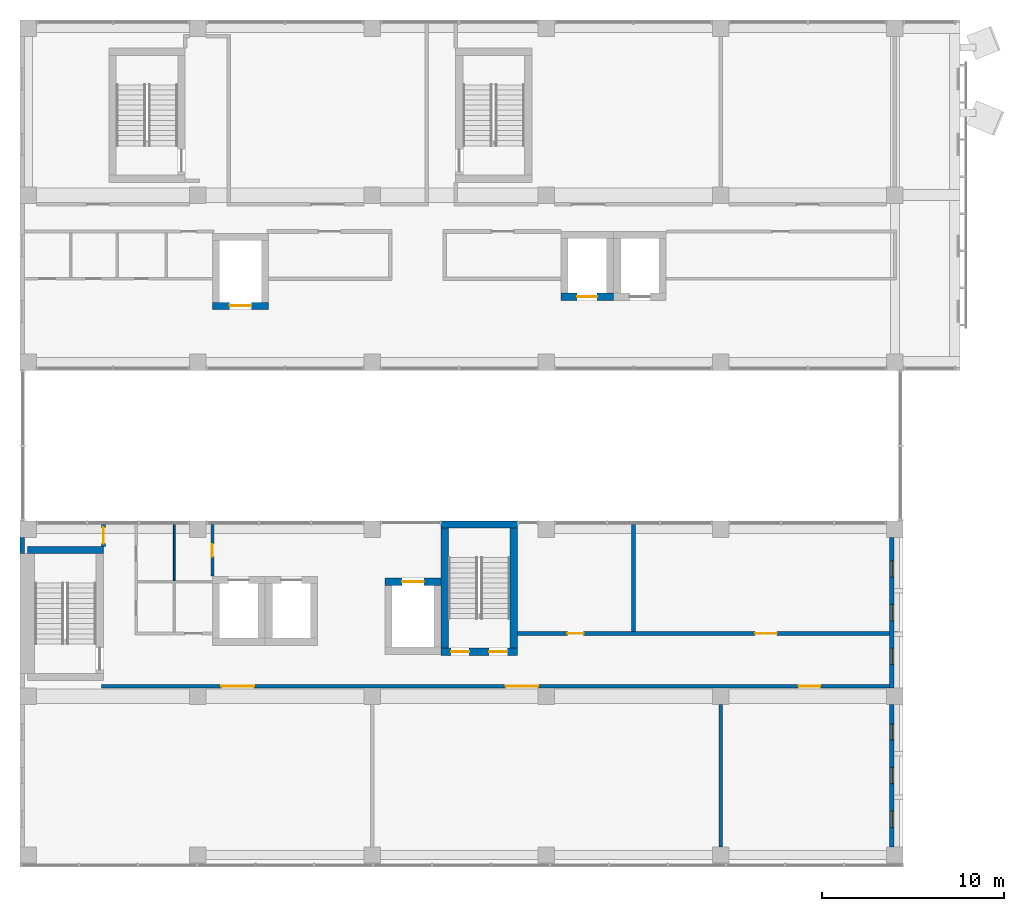
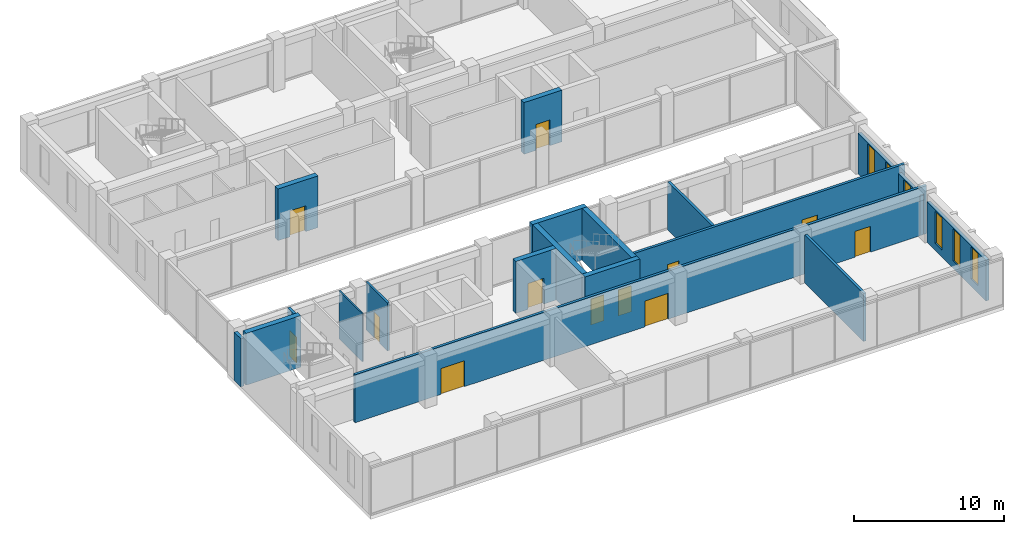
# One storey, part 28 of 37: 18 walls, 12 doors, 6 windows, 18 openings.
"""IFC4 building model written with IfcOpenShell, lengths in metres."""

from ifc_helpers import new_model, si_unit, direction, frame, frame_2d, origin, place, context, subcontext, project, spatial, rectangle, extrude, material, layer, layer_set, layer_usage, type_object, element, fill, save


model = new_model("IFC4")

# Units and contexts
model_context = context("Model", 3, precision=1e-05, world=origin(), true_north=direction((0.0, 1.0)))
body_context = subcontext(model_context, "Body", "Model", "MODEL_VIEW")
ifc_project = project(units=[si_unit("LENGTHUNIT", "METRE"), si_unit("AREAUNIT", "SQUARE_METRE"), si_unit("VOLUMEUNIT", "CUBIC_METRE"), si_unit("PLANEANGLEUNIT", "RADIAN"), si_unit("MASSUNIT", "GRAM", prefix="KILO")], contexts=[model_context])

# Site, building, storey
site_placement = place(None, origin())
site = spatial("IfcSite", under=ifc_project, at=site_placement, CompositionType="ELEMENT")
building_placement = place(site_placement, origin())
building = spatial("IfcBuilding", under=site, at=building_placement, Name="Nzadi Deep Aquarium and Research Tower", CompositionType="ELEMENT")
storey_placement = place(building_placement, frame((0.0, 0.0, 57.10009765625)))
storey = spatial("IfcBuildingStorey", under=building, at=storey_placement, Name="L11", CompositionType="ELEMENT", Elevation=57.10009765625)

# Wall, openings, windows
ifc_material_1 = material(Name="Concrete C35/45", Category="concrete")
ifc_layer_1 = layer(ifc_material_1, 0.14990234375, Category="cladding")
ifc_material_2 = material(Name="Mineral wool insulation")
ifc_layer_2 = layer(ifc_material_2, 0.070068359375, Category="insulation")
ifc_material_3 = material(Name="Gypsum board lining")
ifc_layer_3 = layer(ifc_material_3, 0.030029296875, Category="lining")
ifc_layer_set_1 = layer_set([ifc_layer_1, ifc_layer_2, ifc_layer_3], Name="Concrete C35/45, Mineral wool insulation, Gypsum board lining")
ifc_layer_usage_1 = layer_usage(ifc_layer_set_1, "AXIS2", "POSITIVE", -0.125)
wall_type_1 = type_object("IfcWallType", Name="End wall board-formed concrete 250, 3.30 m high", PredefinedType="ELEMENTEDWALL", material=ifc_layer_set_1)
wall_1_placement = place(storey_placement, frame((47.824951171875, 9.64990234375, 0.0), z_axis=(0.0, 0.0, 1.0), x_axis=(0.0, 1.0, 0.0)))
wall_1 = element("IfcWall", 1, at=wall_1_placement, inside=storey, type_object=wall_type_1, material=ifc_layer_usage_1, Name="End wall blade A east L11", PredefinedType="ELEMENTEDWALL", context=body_context, shape_type="SweptSolid", body=[
    extrude(rectangle(XDim=8.300048828125, YDim=0.25, at=frame_2d((4.14990234375, 0.0))), origin(), (0.0, 0.0, 1.0), 3.2998046875),
])
opening_1_placement = place(wall_1_placement, frame((1.300048828125, 0.0, 0.60009765625)))
opening_1 = element("IfcOpeningElement", 2, at=opening_1_placement, cuts=wall_1, Name="Opening WN03", PredefinedType="OPENING", context=body_context, shape_type="SweptSolid", body=[
    extrude(rectangle(XDim=0.89990234375, YDim=2.60009765625, at=frame_2d((0.449951171875, 1.300048828125))), frame((0.0, 0.135009765625, 0.0), z_axis=(0.0, -1.0, 0.0), x_axis=(1.0, 0.0, 0.0)), (0.0, 0.0, 1.0), 0.27001953125),
])
opening_2_placement = place(wall_1_placement, frame((3.699951171875, 0.0, 0.60009765625)))
opening_2 = element("IfcOpeningElement", 3, at=opening_2_placement, cuts=wall_1, Name="Opening WN03", PredefinedType="OPENING", context=body_context, shape_type="SweptSolid", body=[
    extrude(rectangle(XDim=0.89990234375, YDim=2.60009765625, at=frame_2d((0.449951171875, 1.300048828125))), frame((0.0, 0.135009765625, 0.0), z_axis=(0.0, -1.0, 0.0), x_axis=(1.0, 0.0, 0.0)), (0.0, 0.0, 1.0), 0.27001953125),
])
opening_3_placement = place(wall_1_placement, frame((6.10009765625, 0.0, 0.60009765625)))
opening_3 = element("IfcOpeningElement", 4, at=opening_3_placement, cuts=wall_1, Name="Opening WN03", PredefinedType="OPENING", context=body_context, shape_type="SweptSolid", body=[
    extrude(rectangle(XDim=0.89990234375, YDim=2.60009765625, at=frame_2d((0.449951171875, 1.300048828125))), frame((0.0, 0.135009765625, 0.0), z_axis=(0.0, -1.0, 0.0), x_axis=(1.0, 0.0, 0.0)), (0.0, 0.0, 1.0), 0.27001953125),
])
ifc_material_4 = material(Name="Aluminium window, sage tint glazing", Category="aluminium")
window_type = type_object("IfcWindowType", Name="Slot window 900x2600 sill 600", PartitioningType="SINGLE_PANEL", PredefinedType="WINDOW", material=ifc_material_4)
window_1_placement = place(opening_1_placement, origin())
window_1 = element("IfcWindow", 5, at=window_1_placement, inside=storey, type_object=window_type, Name="Slot window L11 AE", OverallHeight=2.60009765625, OverallWidth=0.89990234375, PartitioningType="SINGLE_PANEL", PredefinedType="WINDOW", context=body_context, shape_type="SweptSolid", body=[
    extrude(rectangle(XDim=0.89990234375, YDim=2.60009765625, at=frame_2d((0.449951171875, 1.300048828125))), frame((0.0, 0.030029296875, 0.0), z_axis=(0.0, -1.0, 0.0), x_axis=(1.0, 0.0, 0.0)), (0.0, 0.0, 1.0), 0.06005859375),
])
fill(opening_1, window_1)
window_2_placement = place(opening_2_placement, origin())
window_2 = element("IfcWindow", 6, at=window_2_placement, inside=storey, type_object=window_type, Name="Slot window L11 AE", OverallHeight=2.60009765625, OverallWidth=0.89990234375, PartitioningType="SINGLE_PANEL", PredefinedType="WINDOW", context=body_context, shape_type="SweptSolid", body=[
    extrude(rectangle(XDim=0.89990234375, YDim=2.60009765625, at=frame_2d((0.449951171875, 1.300048828125))), frame((0.0, 0.030029296875, 0.0), z_axis=(0.0, -1.0, 0.0), x_axis=(1.0, 0.0, 0.0)), (0.0, 0.0, 1.0), 0.06005859375),
])
fill(opening_2, window_2)
window_3_placement = place(opening_3_placement, origin())
window_3 = element("IfcWindow", 7, at=window_3_placement, inside=storey, type_object=window_type, Name="Slot window L11 AE", OverallHeight=2.60009765625, OverallWidth=0.89990234375, PartitioningType="SINGLE_PANEL", PredefinedType="WINDOW", context=body_context, shape_type="SweptSolid", body=[
    extrude(rectangle(XDim=0.89990234375, YDim=2.60009765625, at=frame_2d((0.449951171875, 1.300048828125))), frame((0.0, 0.030029296875, 0.0), z_axis=(0.0, -1.0, 0.0), x_axis=(1.0, 0.0, 0.0)), (0.0, 0.0, 1.0), 0.06005859375),
])
fill(opening_3, window_3)

# Wall
ifc_material_5 = material(Name="Graphite aluminium shingle", Category="aluminium")
ifc_layer_4 = layer(ifc_material_5, 0.050048828125, Category="cladding")
ifc_layer_5 = layer(ifc_material_1, 0.10009765625, Category="cladding")
ifc_layer_6 = layer(ifc_material_2, 0.070068359375, Category="insulation")
ifc_layer_7 = layer(ifc_material_3, 0.030029296875, Category="lining")
ifc_layer_set_2 = layer_set([ifc_layer_4, ifc_layer_5, ifc_layer_6, ifc_layer_7], Name="Graphite aluminium shingle, Concrete C35/45, Mineral wool insulation, Gypsum board lining")
ifc_layer_usage_2 = layer_usage(ifc_layer_set_2, "AXIS2", "POSITIVE", -0.125)
wall_type_2 = type_object("IfcWallType", Name="End wall shingle over board-formed concrete 250", PredefinedType="ELEMENTEDWALL", material=ifc_layer_set_2)
wall_2_placement = place(storey_placement, frame((-0.074462890625, 17.949951171875, 0.0), z_axis=(0.0, 0.0, 1.0), x_axis=(0.0, -1.0, 0.0)))
element("IfcWall", 8, at=wall_2_placement, inside=storey, type_object=wall_type_2, material=ifc_layer_usage_2, Name="End wall blade A west L11", PredefinedType="ELEMENTEDWALL", context=body_context, shape_type="SweptSolid", body=[
    extrude(rectangle(XDim=0.89990234375, YDim=0.25, at=frame_2d((0.449951171875, 0.0))), origin(), (0.0, 0.0, 1.0), 3.89990234375),
])

# Wall, openings, windows
ifc_layer_8 = layer(ifc_material_5, 0.050048828125, Category="cladding")
ifc_layer_9 = layer(ifc_material_1, 0.10009765625, Category="cladding")
ifc_layer_10 = layer(ifc_material_2, 0.070068359375, Category="insulation")
ifc_layer_11 = layer(ifc_material_3, 0.030029296875, Category="lining")
ifc_layer_set_3 = layer_set([ifc_layer_8, ifc_layer_9, ifc_layer_10, ifc_layer_11], Name="Graphite aluminium shingle, Concrete C35/45, Mineral wool insulation, Gypsum board lining")
ifc_layer_usage_3 = layer_usage(ifc_layer_set_3, "AXIS2", "POSITIVE", -0.125)
wall_type_3 = type_object("IfcWallType", Name="End wall shingle over board-formed concrete 250, 3.30 m high", PredefinedType="ELEMENTEDWALL", material=ifc_layer_set_3)
wall_3_placement = place(storey_placement, frame((47.824951171875, 0.89990234375, 0.0), z_axis=(0.0, 0.0, 1.0), x_axis=(0.0, 1.0, 0.0)))
wall_3 = element("IfcWall", 9, at=wall_3_placement, inside=storey, type_object=wall_type_3, material=ifc_layer_usage_3, Name="End wall blade A east L11", PredefinedType="ELEMENTEDWALL", context=body_context, shape_type="SweptSolid", body=[
    extrude(rectangle(XDim=7.85009765625, YDim=0.25, at=frame_2d((3.925048828125, 0.0))), origin(), (0.0, 0.0, 1.0), 3.2998046875),
])
opening_4_placement = place(wall_3_placement, frame((1.074951171875, 0.0, 0.60009765625)))
opening_4 = element("IfcOpeningElement", 10, at=opening_4_placement, cuts=wall_3, Name="Opening WN03", PredefinedType="OPENING", context=body_context, shape_type="SweptSolid", body=[
    extrude(rectangle(XDim=0.89990234375, YDim=2.60009765625, at=frame_2d((0.449951171875, 1.300048828125))), frame((0.0, 0.135009765625, 0.0), z_axis=(0.0, -1.0, 0.0), x_axis=(1.0, 0.0, 0.0)), (0.0, 0.0, 1.0), 0.27001953125),
])
opening_5_placement = place(wall_3_placement, frame((3.47509765625, 0.0, 0.60009765625)))
opening_5 = element("IfcOpeningElement", 11, at=opening_5_placement, cuts=wall_3, Name="Opening WN03", PredefinedType="OPENING", context=body_context, shape_type="SweptSolid", body=[
    extrude(rectangle(XDim=0.89990234375, YDim=2.60009765625, at=frame_2d((0.449951171875, 1.300048828125))), frame((0.0, 0.135009765625, 0.0), z_axis=(0.0, -1.0, 0.0), x_axis=(1.0, 0.0, 0.0)), (0.0, 0.0, 1.0), 0.27001953125),
])
opening_6_placement = place(wall_3_placement, frame((5.875, 0.0, 0.60009765625)))
opening_6 = element("IfcOpeningElement", 12, at=opening_6_placement, cuts=wall_3, Name="Opening WN03", PredefinedType="OPENING", context=body_context, shape_type="SweptSolid", body=[
    extrude(rectangle(XDim=0.89990234375, YDim=2.60009765625, at=frame_2d((0.449951171875, 1.300048828125))), frame((0.0, 0.135009765625, 0.0), z_axis=(0.0, -1.0, 0.0), x_axis=(1.0, 0.0, 0.0)), (0.0, 0.0, 1.0), 0.27001953125),
])
window_4_placement = place(opening_4_placement, origin())
window_4 = element("IfcWindow", 13, at=window_4_placement, inside=storey, type_object=window_type, Name="Slot window L11 AE", OverallHeight=2.60009765625, OverallWidth=0.89990234375, PartitioningType="SINGLE_PANEL", PredefinedType="WINDOW", context=body_context, shape_type="SweptSolid", body=[
    extrude(rectangle(XDim=0.89990234375, YDim=2.60009765625, at=frame_2d((0.449951171875, 1.300048828125))), frame((0.0, 0.030029296875, 0.0), z_axis=(0.0, -1.0, 0.0), x_axis=(1.0, 0.0, 0.0)), (0.0, 0.0, 1.0), 0.06005859375),
])
fill(opening_4, window_4)
window_5_placement = place(opening_5_placement, origin())
window_5 = element("IfcWindow", 14, at=window_5_placement, inside=storey, type_object=window_type, Name="Slot window L11 AE", OverallHeight=2.60009765625, OverallWidth=0.89990234375, PartitioningType="SINGLE_PANEL", PredefinedType="WINDOW", context=body_context, shape_type="SweptSolid", body=[
    extrude(rectangle(XDim=0.89990234375, YDim=2.60009765625, at=frame_2d((0.449951171875, 1.300048828125))), frame((0.0, 0.030029296875, 0.0), z_axis=(0.0, -1.0, 0.0), x_axis=(1.0, 0.0, 0.0)), (0.0, 0.0, 1.0), 0.06005859375),
])
fill(opening_5, window_5)
window_6_placement = place(opening_6_placement, origin())
window_6 = element("IfcWindow", 15, at=window_6_placement, inside=storey, type_object=window_type, Name="Slot window L11 AE", OverallHeight=2.60009765625, OverallWidth=0.89990234375, PartitioningType="SINGLE_PANEL", PredefinedType="WINDOW", context=body_context, shape_type="SweptSolid", body=[
    extrude(rectangle(XDim=0.89990234375, YDim=2.60009765625, at=frame_2d((0.449951171875, 1.300048828125))), frame((0.0, 0.030029296875, 0.0), z_axis=(0.0, -1.0, 0.0), x_axis=(1.0, 0.0, 0.0)), (0.0, 0.0, 1.0), 0.06005859375),
])
fill(opening_6, window_6)

# Wall
ifc_material_6 = material(Name="Blockwork masonry", Category="masonry")
ifc_layer_12 = layer(ifc_material_6, 0.10009765625)
ifc_layer_set_4 = layer_set([ifc_layer_12], Name="Blockwork masonry")
wall_type_4 = type_object("IfcWallType", Name="Partition 100 EI 30", PredefinedType="PARTITIONING", material=ifc_layer_set_4)
wall_4_placement = place(storey_placement, frame((8.300048828125, 15.550048828125, 0.0), z_axis=(0.0, 0.0, 1.0), x_axis=(0.0, 1.0, 0.0)))
element("IfcWall", 16, at=wall_4_placement, inside=storey, type_object=wall_type_4, Name="W-Z1-L11-P013", PredefinedType="PARTITIONING", context=body_context, shape_type="SweptSolid", body=[
    extrude(rectangle(XDim=3.093994140625, YDim=0.10009765625, at=frame_2d((1.546875, 0.0))), origin(), (0.0, 0.0, 1.0), 3.89990234375),
])

# Wall, opening, door
ifc_material_7 = material(Name="Blockwork masonry", Category="masonry")
ifc_layer_13 = layer(ifc_material_7, 0.14990234375)
ifc_layer_set_5 = layer_set([ifc_layer_13], Name="Blockwork masonry")
wall_type_5 = type_object("IfcWallType", Name="Partition 150 EI 60", PredefinedType="PARTITIONING", material=ifc_layer_set_5)
wall_5_placement = place(storey_placement, frame((10.39990234375, 15.805908203125, 0.0), z_axis=(0.0, 0.0, 1.0), x_axis=(0.0, 1.0, 0.0)))
wall_5 = element("IfcWall", 17, at=wall_5_placement, inside=storey, type_object=wall_type_5, Name="W-Z1-L11-P018", PredefinedType="PARTITIONING", context=body_context, shape_type="SweptSolid", body=[
    extrude(rectangle(XDim=2.838134765625, YDim=0.14990234375, at=frame_2d((1.4189453125, 0.0))), origin(), (0.0, 0.0, 1.0), 3.89990234375),
])
opening_7_placement = place(wall_5_placement, frame((1.073974609375, 0.0, 0.0)))
opening_7 = element("IfcOpeningElement", 18, at=opening_7_placement, cuts=wall_5, Name="Opening D121005", PredefinedType="OPENING", context=body_context, shape_type="SweptSolid", body=[
    extrude(rectangle(XDim=0.699951171875, YDim=2.10009765625, at=frame_2d((0.35009765625, 1.050048828125))), frame((0.0, 0.0849609375, 0.0), z_axis=(0.0, -1.0, 0.0), x_axis=(1.0, 0.0, 0.0)), (0.0, 0.0, 1.0), 0.169921875),
])
ifc_material_8 = material(Name="Fire-rated steel door", Category="steel")
ifc_layer_14 = layer(ifc_material_8, 0.050048828125)
ifc_layer_set_6 = layer_set([ifc_layer_14], Name="Fire-rated steel door")
door_type_1 = type_object("IfcDoorType", Name="Door 700x2100 EI 60 single", OperationType="SINGLE_SWING_LEFT", PredefinedType="DOOR", material=ifc_layer_set_6)
door_1_placement = place(opening_7_placement, origin())
door_1 = element("IfcDoor", 19, at=door_1_placement, inside=storey, type_object=door_type_1, Name="D121005", OperationType="SINGLE_SWING_LEFT", OverallHeight=2.10009765625, OverallWidth=0.699951171875, PredefinedType="DOOR", context=body_context, shape_type="SweptSolid", body=[
    extrude(rectangle(XDim=0.699951171875, YDim=2.10009765625, at=frame_2d((0.35009765625, 1.050048828125))), frame((0.0, 0.02490234375, 0.0), z_axis=(0.0, -1.0, 0.0), x_axis=(1.0, 0.0, 0.0)), (0.0, 0.0, 1.0), 0.050048828125),
])
fill(opening_7, door_1)

# Wall, openings, doors
ifc_material_9 = material(Name="Blockwork masonry", Category="masonry")
ifc_layer_15 = layer(ifc_material_9, 0.199951171875)
ifc_layer_set_7 = layer_set([ifc_layer_15], Name="Blockwork masonry")
wall_type_6 = type_object("IfcWallType", Name="Partition 200 EI 120", PredefinedType="PARTITIONING", material=ifc_layer_set_7)
wall_6_placement = place(storey_placement, frame((4.300048828125, 9.75, 0.0), z_axis=(0.0, 0.0, 1.0), x_axis=(1.0, 0.0, 0.0)))
wall_6 = element("IfcWall", 20, at=wall_6_placement, inside=storey, type_object=wall_type_6, Name="W-Z1-L11-P005", PredefinedType="PARTITIONING", context=body_context, shape_type="SweptSolid", body=[
    extrude(rectangle(XDim=43.89404296875, YDim=0.199951171875, at=frame_2d((21.947021484375, 0.0))), origin(), (0.0, 0.0, 1.0), 3.89990234375),
])
opening_8_placement = place(wall_6_placement, frame((6.60009765625, 0.0, 0.0)))
opening_8 = element("IfcOpeningElement", 21, at=opening_8_placement, cuts=wall_6, Name="Opening D121006", PredefinedType="OPENING", context=body_context, shape_type="SweptSolid", body=[
    extrude(rectangle(XDim=1.800048828125, YDim=2.10009765625, at=frame_2d((0.89990234375, 1.050048828125))), frame((0.0, 0.110107421875, 0.0), z_axis=(0.0, -1.0, 0.0), x_axis=(1.0, 0.0, 0.0)), (0.0, 0.0, 1.0), 0.22021484375),
])
opening_9_placement = place(wall_6_placement, frame((22.25, 0.0, 0.0)))
opening_9 = element("IfcOpeningElement", 22, at=opening_9_placement, cuts=wall_6, Name="Opening D121007", PredefinedType="OPENING", context=body_context, shape_type="SweptSolid", body=[
    extrude(rectangle(XDim=1.800048828125, YDim=2.10009765625, at=frame_2d((0.89990234375, 1.050048828125))), frame((0.0, 0.110107421875, 0.0), z_axis=(0.0, -1.0, 0.0), x_axis=(1.0, 0.0, 0.0)), (0.0, 0.0, 1.0), 0.22021484375),
])
opening_10_placement = place(wall_6_placement, frame((38.39990234375, 0.0, 0.0)))
opening_10 = element("IfcOpeningElement", 23, at=opening_10_placement, cuts=wall_6, Name="Opening D121008", PredefinedType="OPENING", context=body_context, shape_type="SweptSolid", body=[
    extrude(rectangle(XDim=1.199951171875, YDim=2.10009765625, at=frame_2d((0.60009765625, 1.050048828125))), frame((0.0, 0.110107421875, 0.0), z_axis=(0.0, -1.0, 0.0), x_axis=(1.0, 0.0, 0.0)), (0.0, 0.0, 1.0), 0.22021484375),
])
ifc_material_10 = material(Name="Fire-rated steel door", Category="steel")
ifc_layer_16 = layer(ifc_material_10, 0.050048828125)
ifc_layer_set_8 = layer_set([ifc_layer_16], Name="Fire-rated steel door")
door_type_2 = type_object("IfcDoorType", Name="Door 1200x2100 EI 120 single", OperationType="SINGLE_SWING_LEFT", PredefinedType="DOOR", material=ifc_layer_set_8)
door_2_placement = place(opening_10_placement, origin())
door_2 = element("IfcDoor", 24, at=door_2_placement, inside=storey, type_object=door_type_2, Name="D121008", OperationType="SINGLE_SWING_LEFT", OverallHeight=2.10009765625, OverallWidth=1.199951171875, PredefinedType="DOOR", context=body_context, shape_type="SweptSolid", body=[
    extrude(rectangle(XDim=1.199951171875, YDim=2.10009765625, at=frame_2d((0.60009765625, 1.050048828125))), frame((0.0, 0.02490234375, 0.0), z_axis=(0.0, -1.0, 0.0), x_axis=(1.0, 0.0, 0.0)), (0.0, 0.0, 1.0), 0.050048828125),
])
fill(opening_10, door_2)
ifc_material_11 = material(Name="Fire-rated steel door", Category="steel")
ifc_layer_17 = layer(ifc_material_11, 0.050048828125)
ifc_layer_set_9 = layer_set([ifc_layer_17], Name="Fire-rated steel door")
door_type_3 = type_object("IfcDoorType", Name="Door 1800x2100 EI 120 double", OperationType="DOUBLE_DOOR_SINGLE_SWING", PredefinedType="DOOR", material=ifc_layer_set_9)
door_3_placement = place(opening_8_placement, origin())
door_3 = element("IfcDoor", 25, at=door_3_placement, inside=storey, type_object=door_type_3, Name="D121006", OperationType="DOUBLE_DOOR_SINGLE_SWING", OverallHeight=2.10009765625, OverallWidth=1.800048828125, PredefinedType="DOOR", context=body_context, shape_type="SweptSolid", body=[
    extrude(rectangle(XDim=1.800048828125, YDim=2.10009765625, at=frame_2d((0.89990234375, 1.050048828125))), frame((0.0, 0.02490234375, 0.0), z_axis=(0.0, -1.0, 0.0), x_axis=(1.0, 0.0, 0.0)), (0.0, 0.0, 1.0), 0.050048828125),
])
fill(opening_8, door_3)
door_4_placement = place(opening_9_placement, origin())
door_4 = element("IfcDoor", 26, at=door_4_placement, inside=storey, type_object=door_type_3, Name="D121007", OperationType="DOUBLE_DOOR_SINGLE_SWING", OverallHeight=2.10009765625, OverallWidth=1.800048828125, PredefinedType="DOOR", context=body_context, shape_type="SweptSolid", body=[
    extrude(rectangle(XDim=1.800048828125, YDim=2.10009765625, at=frame_2d((0.89990234375, 1.050048828125))), frame((0.0, 0.02490234375, 0.0), z_axis=(0.0, -1.0, 0.0), x_axis=(1.0, 0.0, 0.0)), (0.0, 0.0, 1.0), 0.050048828125),
])
fill(opening_9, door_4)

# Wall, opening, door
wall_7_placement = place(storey_placement, frame((4.39990234375, 17.4560546875, 0.0), z_axis=(0.0, 0.0, 1.0), x_axis=(0.0, 1.0, 0.0)))
wall_7 = element("IfcWall", 27, at=wall_7_placement, inside=storey, type_object=wall_type_6, Name="W-Z1-L11-P006", PredefinedType="PARTITIONING", context=body_context, shape_type="SweptSolid", body=[
    extrude(rectangle(XDim=1.18798828125, YDim=0.199951171875, at=frame_2d((0.593994140625, 0.0))), origin(), (0.0, 0.0, 1.0), 3.89990234375),
])
opening_11_placement = place(wall_7_placement, frame((0.14404296875, 0.0, 0.0)))
opening_11 = element("IfcOpeningElement", 28, at=opening_11_placement, cuts=wall_7, Name="Opening D121001", PredefinedType="OPENING", context=body_context, shape_type="SweptSolid", body=[
    extrude(rectangle(XDim=0.89990234375, YDim=2.10009765625, at=frame_2d((0.449951171875, 1.050048828125))), frame((0.0, 0.110107421875, 0.0), z_axis=(0.0, -1.0, 0.0), x_axis=(1.0, 0.0, 0.0)), (0.0, 0.0, 1.0), 0.22021484375),
])
ifc_material_12 = material(Name="Fire-rated steel door", Category="steel")
ifc_layer_18 = layer(ifc_material_12, 0.050048828125)
ifc_layer_set_10 = layer_set([ifc_layer_18], Name="Fire-rated steel door")
door_type_4 = type_object("IfcDoorType", Name="Door 900x2100 EI 120 single", OperationType="SINGLE_SWING_LEFT", PredefinedType="DOOR", material=ifc_layer_set_10)
door_5_placement = place(opening_11_placement, origin())
door_5 = element("IfcDoor", 29, at=door_5_placement, inside=storey, type_object=door_type_4, Name="D121001", OperationType="SINGLE_SWING_LEFT", OverallHeight=2.10009765625, OverallWidth=0.89990234375, PredefinedType="DOOR", context=body_context, shape_type="SweptSolid", body=[
    extrude(rectangle(XDim=0.89990234375, YDim=2.10009765625, at=frame_2d((0.449951171875, 1.050048828125))), frame((0.0, 0.02490234375, 0.0), z_axis=(0.0, -1.0, 0.0), x_axis=(1.0, 0.0, 0.0)), (0.0, 0.0, 1.0), 0.050048828125),
])
fill(opening_11, door_5)

# Wall, openings, doors
wall_8_placement = place(storey_placement, frame((27.2060546875, 12.64990234375, 0.0), z_axis=(0.0, 0.0, 1.0), x_axis=(1.0, 0.0, 0.0)))
wall_8 = element("IfcWall", 30, at=wall_8_placement, inside=storey, type_object=wall_type_6, Name="W-Z1-L11-P033", PredefinedType="PARTITIONING", context=body_context, shape_type="SweptSolid", body=[
    extrude(rectangle(XDim=20.988037109375, YDim=0.199951171875, at=frame_2d((10.494140625, 0.0))), origin(), (0.0, 0.0, 1.0), 3.89990234375),
])
opening_12_placement = place(wall_8_placement, frame((2.743896484375, 0.0, 0.0)))
opening_12 = element("IfcOpeningElement", 31, at=opening_12_placement, cuts=wall_8, Name="Opening D121009", PredefinedType="OPENING", context=body_context, shape_type="SweptSolid", body=[
    extrude(rectangle(XDim=0.89990234375, YDim=2.10009765625, at=frame_2d((0.449951171875, 1.050048828125))), frame((0.0, 0.110107421875, 0.0), z_axis=(0.0, -1.0, 0.0), x_axis=(1.0, 0.0, 0.0)), (0.0, 0.0, 1.0), 0.22021484375),
])
opening_13_placement = place(wall_8_placement, frame((13.093994140625, 0.0, 0.0)))
opening_13 = element("IfcOpeningElement", 32, at=opening_13_placement, cuts=wall_8, Name="Opening D121010", PredefinedType="OPENING", context=body_context, shape_type="SweptSolid", body=[
    extrude(rectangle(XDim=1.199951171875, YDim=2.10009765625, at=frame_2d((0.60009765625, 1.050048828125))), frame((0.0, 0.110107421875, 0.0), z_axis=(0.0, -1.0, 0.0), x_axis=(1.0, 0.0, 0.0)), (0.0, 0.0, 1.0), 0.22021484375),
])
door_6_placement = place(opening_13_placement, origin())
door_6 = element("IfcDoor", 33, at=door_6_placement, inside=storey, type_object=door_type_2, Name="D121010", OperationType="SINGLE_SWING_RIGHT", OverallHeight=2.10009765625, OverallWidth=1.199951171875, PredefinedType="DOOR", context=body_context, shape_type="SweptSolid", body=[
    extrude(rectangle(XDim=1.199951171875, YDim=2.10009765625, at=frame_2d((0.60009765625, 1.050048828125))), frame((0.0, 0.02490234375, 0.0), z_axis=(0.0, -1.0, 0.0), x_axis=(1.0, 0.0, 0.0)), (0.0, 0.0, 1.0), 0.050048828125),
])
fill(opening_13, door_6)
door_7_placement = place(opening_12_placement, origin())
door_7 = element("IfcDoor", 34, at=door_7_placement, inside=storey, type_object=door_type_4, Name="D121009", OperationType="SINGLE_SWING_LEFT", OverallHeight=2.10009765625, OverallWidth=0.89990234375, PredefinedType="DOOR", context=body_context, shape_type="SweptSolid", body=[
    extrude(rectangle(XDim=0.89990234375, YDim=2.10009765625, at=frame_2d((0.449951171875, 1.050048828125))), frame((0.0, 0.02490234375, 0.0), z_axis=(0.0, -1.0, 0.0), x_axis=(1.0, 0.0, 0.0)), (0.0, 0.0, 1.0), 0.050048828125),
])
fill(opening_12, door_7)

# Walls
wall_9_placement = place(storey_placement, frame((33.60009765625, 12.75, 0.0), z_axis=(0.0, 0.0, 1.0), x_axis=(0.0, 1.0, 0.0)))
element("IfcWall", 35, at=wall_9_placement, inside=storey, type_object=wall_type_6, Name="W-Z1-L11-P035", PredefinedType="PARTITIONING", context=body_context, shape_type="SweptSolid", body=[
    extrude(rectangle(XDim=5.89404296875, YDim=0.199951171875, at=frame_2d((2.947021484375, 0.0))), origin(), (0.0, 0.0, 1.0), 3.89990234375),
])
wall_10_placement = place(storey_placement, frame((38.39990234375, 0.89990234375, 0.0), z_axis=(0.0, 0.0, 1.0), x_axis=(0.0, 1.0, 0.0)))
element("IfcWall", 36, at=wall_10_placement, inside=storey, type_object=wall_type_6, Name="W-Z1-L11-P038", PredefinedType="PARTITIONING", context=body_context, shape_type="SweptSolid", body=[
    extrude(rectangle(XDim=7.85009765625, YDim=0.199951171875, at=frame_2d((3.925048828125, 0.0))), origin(), (0.0, 0.0, 1.0), 3.89990234375),
])
ifc_material_13 = material(Name="Concrete C35/45", Category="concrete")
ifc_layer_19 = layer(ifc_material_13, 0.39990234375)
ifc_layer_set_11 = layer_set([ifc_layer_19], Name="Concrete C35/45")
wall_type_7 = type_object("IfcWallType", Name="RC core wall 400", PredefinedType="SHEAR", material=ifc_layer_set_11)
wall_11_placement = place(storey_placement, frame((0.199951171875, 17.25, 0.0), z_axis=(0.0, 0.0, 1.0), x_axis=(1.0, 0.0, 0.0)))
element("IfcWall", 37, at=wall_11_placement, inside=storey, type_object=wall_type_7, Name="W-CORE-ST-Z1-SW-L11-N", PredefinedType="SHEAR", context=body_context, shape_type="SweptSolid", body=[
    extrude(rectangle(XDim=4.199951171875, YDim=0.39990234375, at=frame_2d((2.10009765625, 0.0))), origin(), (0.0, 0.0, 1.0), 4.199951171875),
])

# Wall, openings, doors
wall_12_placement = place(storey_placement, frame((23.0, 11.64990234375, 0.0), z_axis=(0.0, 0.0, 1.0), x_axis=(1.0, 0.0, 0.0)))
wall_12 = element("IfcWall", 38, at=wall_12_placement, inside=storey, type_object=wall_type_7, Name="W-CORE-ST-Z1-SE-L11-S", PredefinedType="SHEAR", context=body_context, shape_type="SweptSolid", body=[
    extrude(rectangle(XDim=4.199951171875, YDim=0.39990234375, at=frame_2d((2.10009765625, 0.0))), origin(), (0.0, 0.0, 1.0), 4.199951171875),
])
opening_14_placement = place(wall_12_placement, frame((0.550048828125, 0.0, 0.0)))
opening_14 = element("IfcOpeningElement", 39, at=opening_14_placement, cuts=wall_12, Name="Opening DS-Z1-SE-L11A", PredefinedType="OPENING", context=body_context, shape_type="SweptSolid", body=[
    extrude(rectangle(XDim=1.0, YDim=2.10009765625, at=frame_2d((0.5, 1.050048828125))), frame((0.0, 0.2099609375, 0.0), z_axis=(0.0, -1.0, 0.0), x_axis=(1.0, 0.0, 0.0)), (0.0, 0.0, 1.0), 0.419921875),
])
opening_15_placement = place(wall_12_placement, frame((2.64990234375, 0.0, 0.0)))
opening_15 = element("IfcOpeningElement", 40, at=opening_15_placement, cuts=wall_12, Name="Opening DS-Z1-SE-L11B", PredefinedType="OPENING", context=body_context, shape_type="SweptSolid", body=[
    extrude(rectangle(XDim=1.0, YDim=2.10009765625, at=frame_2d((0.5, 1.050048828125))), frame((0.0, 0.2099609375, 0.0), z_axis=(0.0, -1.0, 0.0), x_axis=(1.0, 0.0, 0.0)), (0.0, 0.0, 1.0), 0.419921875),
])
ifc_material_14 = material(Name="Steel, powder coated", Category="steel")
door_type_5 = type_object("IfcDoorType", Name="STAIR DOOR 1000x2100 EI 60", OperationType="SINGLE_SWING_LEFT", PredefinedType="DOOR", material=ifc_material_14)
door_8_placement = place(opening_14_placement, origin())
door_8 = element("IfcDoor", 41, at=door_8_placement, inside=storey, type_object=door_type_5, Name="Stair door ST-Z1-SE L11 A", OperationType="SINGLE_SWING_RIGHT", OverallHeight=2.10009765625, OverallWidth=1.0, PredefinedType="DOOR", context=body_context, shape_type="SweptSolid", body=[
    extrude(rectangle(XDim=1.0, YDim=2.10009765625, at=frame_2d((0.5, 1.050048828125))), frame((0.0, 0.02490234375, 0.0), z_axis=(0.0, -1.0, 0.0), x_axis=(1.0, 0.0, 0.0)), (0.0, 0.0, 1.0), 0.050048828125),
])
fill(opening_14, door_8)
door_9_placement = place(opening_15_placement, origin())
door_9 = element("IfcDoor", 42, at=door_9_placement, inside=storey, type_object=door_type_5, Name="Stair door ST-Z1-SE L11 B", OperationType="SINGLE_SWING_LEFT", OverallHeight=2.10009765625, OverallWidth=1.0, PredefinedType="DOOR", context=body_context, shape_type="SweptSolid", body=[
    extrude(rectangle(XDim=1.0, YDim=2.10009765625, at=frame_2d((0.5, 1.050048828125))), frame((0.0, 0.02490234375, 0.0), z_axis=(0.0, -1.0, 0.0), x_axis=(1.0, 0.0, 0.0)), (0.0, 0.0, 1.0), 0.050048828125),
])
fill(opening_15, door_9)

# Walls
wall_13_placement = place(storey_placement, frame((23.0, 18.64990234375, 0.0), z_axis=(0.0, 0.0, 1.0), x_axis=(1.0, 0.0, 0.0)))
element("IfcWall", 43, at=wall_13_placement, inside=storey, type_object=wall_type_7, Name="W-CORE-ST-Z1-SE-L11-N", PredefinedType="SHEAR", context=body_context, shape_type="SweptSolid", body=[
    extrude(rectangle(XDim=4.199951171875, YDim=0.39990234375, at=frame_2d((2.10009765625, 0.0))), origin(), (0.0, 0.0, 1.0), 4.199951171875),
])
for number, where, z_axis, x_axis, name in (
    (44, (23.199951171875, 11.85009765625, 0.0), (0.0, 0.0, 1.0), (0.0, 1.0, 0.0), "W-CORE-ST-Z1-SE-L11-W"),
    (45, (27.0, 11.85009765625, 0.0), (0.0, 0.0, 1.0), (0.0, 1.0, 0.0), "W-CORE-ST-Z1-SE-L11-E"),
):
    element("IfcWall", number, at=place(storey_placement, frame(where, z_axis=z_axis, x_axis=x_axis)), inside=storey, type_object=wall_type_7, Name=name, PredefinedType="SHEAR", context=body_context, shape_type="SweptSolid", body=[
        extrude(rectangle(XDim=6.599853515625, YDim=0.39990234375, at=frame_2d((3.2998046875, 0.0))), origin(), (0.0, 0.0, 1.0), 4.199951171875),
    ])

# Wall, opening, door
wall_14_placement = place(storey_placement, frame((19.89990234375, 15.5, 0.0), z_axis=(0.0, 0.0, 1.0), x_axis=(1.0, 0.0, 0.0)))
wall_14 = element("IfcWall", 46, at=wall_14_placement, inside=storey, type_object=wall_type_7, Name="W-CORE-FL1-L11-N", PredefinedType="SHEAR", context=body_context, shape_type="SweptSolid", body=[
    extrude(rectangle(XDim=3.10009765625, YDim=0.39990234375, at=frame_2d((1.550048828125, 0.0))), origin(), (0.0, 0.0, 1.0), 4.199951171875),
])
opening_16_placement = place(wall_14_placement, frame((0.949951171875, 0.0, 0.0)))
opening_16 = element("IfcOpeningElement", 47, at=opening_16_placement, cuts=wall_14, Name="Opening LD-FL1-L11", PredefinedType="OPENING", context=body_context, shape_type="SweptSolid", body=[
    extrude(rectangle(XDim=1.199951171875, YDim=2.10009765625, at=frame_2d((0.60009765625, 1.050048828125))), frame((0.0, 0.2099609375, 0.0), z_axis=(0.0, -1.0, 0.0), x_axis=(1.0, 0.0, 0.0)), (0.0, 0.0, 1.0), 0.419921875),
])
ifc_material_15 = material(Name="Stainless steel 1.4301", Category="steel")
door_type_6 = type_object("IfcDoorType", Name="LANDING DOOR 1200x2100", OperationType="DOUBLE_DOOR_SLIDING", PredefinedType="DOOR", material=ifc_material_15)
door_10_placement = place(opening_16_placement, origin())
door_10 = element("IfcDoor", 48, at=door_10_placement, inside=storey, type_object=door_type_6, Name="Landing door FL1 L11", OperationType="DOUBLE_DOOR_SLIDING", OverallHeight=2.10009765625, OverallWidth=1.199951171875, PredefinedType="DOOR", context=body_context, shape_type="SweptSolid", body=[
    extrude(rectangle(XDim=1.199951171875, YDim=2.10009765625, at=frame_2d((0.60009765625, 1.050048828125))), frame((0.0, 0.02490234375, 0.0), z_axis=(0.0, -1.0, 0.0), x_axis=(1.0, 0.0, 0.0)), (0.0, 0.0, 1.0), 0.050048828125),
])
fill(opening_16, door_10)

wall_15_placement = place(storey_placement, frame((10.39990234375, 30.699951171875, 0.0), z_axis=(0.0, 0.0, 1.0), x_axis=(1.0, 0.0, 0.0)))
wall_15 = element("IfcWall", 49, at=wall_15_placement, inside=storey, type_object=wall_type_7, Name="W-CORE-FL2-L11-S", PredefinedType="SHEAR", context=body_context, shape_type="SweptSolid", body=[
    extrude(rectangle(XDim=3.10009765625, YDim=0.39990234375, at=frame_2d((1.550048828125, 0.0))), origin(), (0.0, 0.0, 1.0), 4.199951171875),
])
opening_17_placement = place(wall_15_placement, frame((0.949951171875, 0.0, 0.0)))
opening_17 = element("IfcOpeningElement", 50, at=opening_17_placement, cuts=wall_15, Name="Opening LD-FL2-L11", PredefinedType="OPENING", context=body_context, shape_type="SweptSolid", body=[
    extrude(rectangle(XDim=1.199951171875, YDim=2.10009765625, at=frame_2d((0.60009765625, 1.050048828125))), frame((0.0, 0.2099609375, 0.0), z_axis=(0.0, -1.0, 0.0), x_axis=(1.0, 0.0, 0.0)), (0.0, 0.0, 1.0), 0.419921875),
])
door_11_placement = place(opening_17_placement, origin())
door_11 = element("IfcDoor", 51, at=door_11_placement, inside=storey, type_object=door_type_6, Name="Landing door FL2 L11", OperationType="DOUBLE_DOOR_SLIDING", OverallHeight=2.10009765625, OverallWidth=1.199951171875, PredefinedType="DOOR", context=body_context, shape_type="SweptSolid", body=[
    extrude(rectangle(XDim=1.199951171875, YDim=2.10009765625, at=frame_2d((0.60009765625, 1.050048828125))), frame((0.0, 0.02490234375, 0.0), z_axis=(0.0, -1.0, 0.0), x_axis=(1.0, 0.0, 0.0)), (0.0, 0.0, 1.0), 0.050048828125),
])
fill(opening_17, door_11)

wall_16_placement = place(storey_placement, frame((29.60009765625, 31.199951171875, 0.0), z_axis=(0.0, 0.0, 1.0), x_axis=(1.0, 0.0, 0.0)))
wall_16 = element("IfcWall", 52, at=wall_16_placement, inside=storey, type_object=wall_type_7, Name="W-CORE-TL3-L11-S", PredefinedType="SHEAR", context=body_context, shape_type="SweptSolid", body=[
    extrude(rectangle(XDim=2.89990234375, YDim=0.39990234375, at=frame_2d((1.449951171875, 0.0))), origin(), (0.0, 0.0, 1.0), 4.199951171875),
])
opening_18_placement = place(wall_16_placement, frame((0.89990234375, 0.0, 0.0)))
opening_18 = element("IfcOpeningElement", 53, at=opening_18_placement, cuts=wall_16, Name="Opening LD-TL3-L11", PredefinedType="OPENING", context=body_context, shape_type="SweptSolid", body=[
    extrude(rectangle(XDim=1.10009765625, YDim=2.10009765625, at=frame_2d((0.550048828125, 1.050048828125))), frame((0.0, 0.2099609375, 0.0), z_axis=(0.0, -1.0, 0.0), x_axis=(1.0, 0.0, 0.0)), (0.0, 0.0, 1.0), 0.419921875),
])
ifc_material_16 = material(Name="Stainless steel 1.4301", Category="steel")
door_type_7 = type_object("IfcDoorType", Name="LANDING DOOR 1100x2100", OperationType="DOUBLE_DOOR_SLIDING", PredefinedType="DOOR", material=ifc_material_16)
door_12_placement = place(opening_18_placement, origin())
door_12 = element("IfcDoor", 54, at=door_12_placement, inside=storey, type_object=door_type_7, Name="Landing door TL3 L11", OperationType="DOUBLE_DOOR_SLIDING", OverallHeight=2.10009765625, OverallWidth=1.10009765625, PredefinedType="DOOR", context=body_context, shape_type="SweptSolid", body=[
    extrude(rectangle(XDim=1.10009765625, YDim=2.10009765625, at=frame_2d((0.550048828125, 1.050048828125))), frame((0.0, 0.02490234375, 0.0), z_axis=(0.0, -1.0, 0.0), x_axis=(1.0, 0.0, 0.0)), (0.0, 0.0, 1.0), 0.050048828125),
])
fill(opening_18, door_12)

save(model, "model.ifc")
